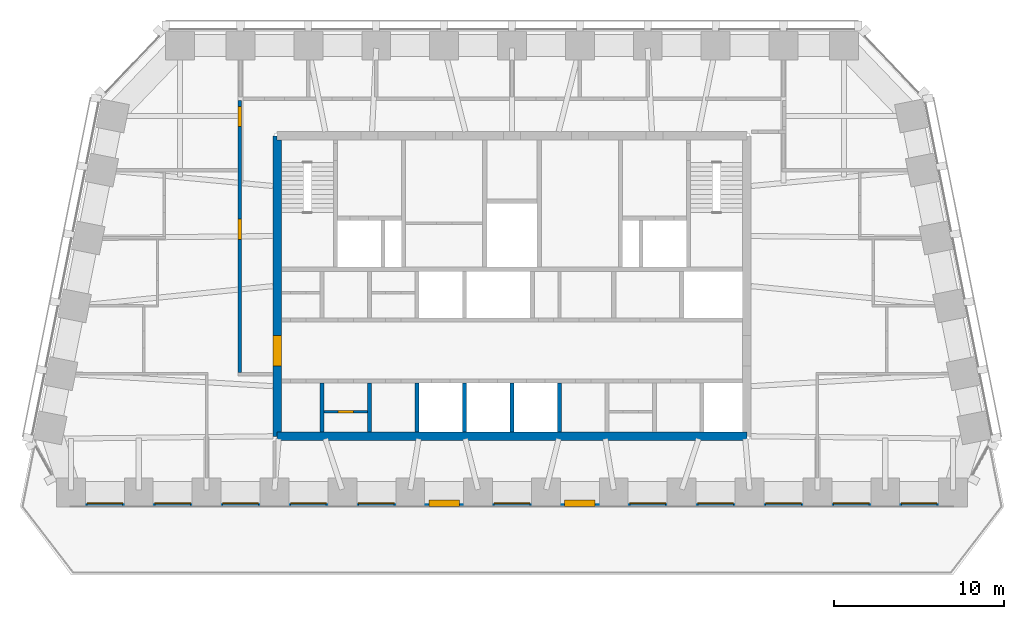
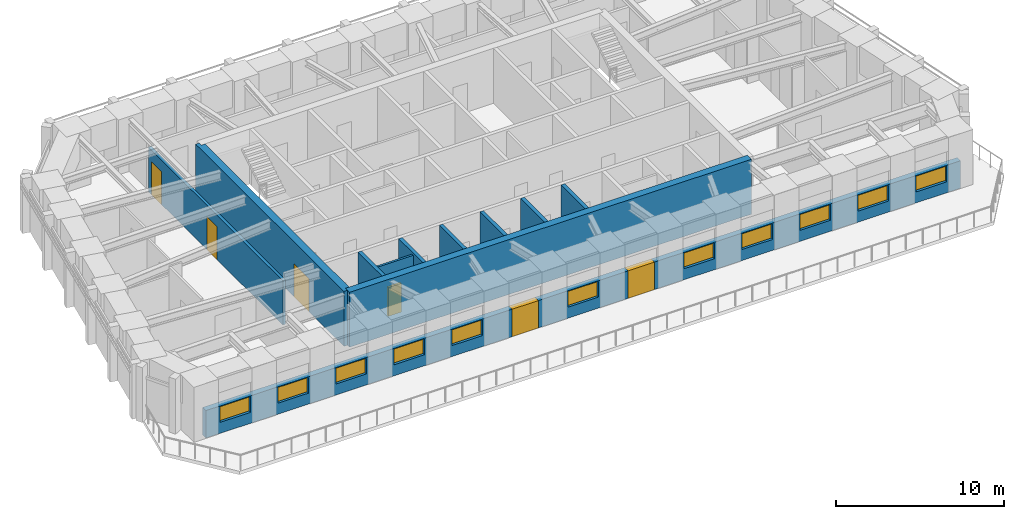
# One storey, part 4 of 9: 11 walls, 11 windows, 6 doors, 17 openings.
"""IFC4 building model written with IfcOpenShell, lengths in metres."""

import ifcopenshell
import ifcopenshell.guid

model = None  # the IFC model being written
_history = None  # IfcOwnerHistory: only IFC2X3 demands one
_inside = {}  # id of a spatial element -> (the spatial element, [elements in it])
_under = {}  # id of a project, library or spatial element -> (it, [spatial elements below it])
_declared = {}  # id of a project -> (the project, [libraries it declares])
_typed = {}  # id of a type object -> (the type object, [elements of that type])
_made_of = {}  # id of a material, layer set ... -> (it, [elements and type objects made of it])


def new_model(schema):
    """Start an empty IFC model of exactly this schema.

    Asked for "IFC4X3", IfcOpenShell would pick the latest addendum, in which some entities
    have other attributes; the version numbers below select the first issue.
    IFC2X3 requires an IfcOwnerHistory on every rooted entity: one is made here for all.
    """
    global model, _history
    if schema == "IFC4X3":
        model = ifcopenshell.file(schema_version=(4, 3, 0, 0))
    else:
        model = ifcopenshell.file(schema=schema)
    _inside.clear()
    _under.clear()
    _declared.clear()
    _typed.clear()
    _made_of.clear()
    _history = None
    if model.schema == "IFC2X3":
        org = make("IfcOrganization", Name="unknown")
        user = make(
            "IfcPersonAndOrganization",
            ThePerson=make("IfcPerson", FamilyName="unknown"),
            TheOrganization=org,
        )
        app = make(
            "IfcApplication",
            ApplicationDeveloper=org,
            Version="unknown",
            ApplicationFullName="unknown",
            ApplicationIdentifier="unknown",
        )
        _history = make(
            "IfcOwnerHistory",
            OwningUser=user,
            OwningApplication=app,
            ChangeAction="ADDED",
            CreationDate=0,
        )
    return model


def make(cls, **values):
    """One entity of the class cls with the attributes given. An attribute that is None is left unset."""
    return model.create_entity(
        cls, **{name: value for name, value in values.items() if value is not None}
    )


def rooted(cls, **values):
    """An entity with a GlobalId (a new one), such as an element, a storey or a relation."""
    return make(cls, GlobalId=ifcopenshell.guid.new(), OwnerHistory=_history, **values)


def si_unit(unit_type, name, prefix=None):
    """IfcSIUnit, for example si_unit("LENGTHUNIT", "METRE", prefix="MILLI")."""
    return make("IfcSIUnit", UnitType=unit_type, Prefix=prefix, Name=name)


def assignment(units):
    """IfcUnitAssignment: the units of a project."""
    return None if units is None else make("IfcUnitAssignment", Units=units)


def point(xyz):
    """IfcCartesianPoint."""
    return None if xyz is None else make("IfcCartesianPoint", Coordinates=xyz)


def direction(xyz):
    """IfcDirection."""
    return None if xyz is None else make("IfcDirection", DirectionRatios=xyz)


def frame(location, z_axis=None, x_axis=None):
    """IfcAxis2Placement3D, a coordinate frame: its origin and axes. An axis left out is left unset."""
    return make(
        "IfcAxis2Placement3D",
        Location=point(location),
        Axis=direction(z_axis),
        RefDirection=direction(x_axis),
    )


def frame_2d(location, x_axis=None):
    """IfcAxis2Placement2D, a coordinate frame in the plane: its origin and x axis."""
    return make(
        "IfcAxis2Placement2D", Location=point(location), RefDirection=direction(x_axis)
    )


def origin():
    """The frame at (0, 0, 0) with its axes left unset."""
    return frame((0.0, 0.0, 0.0))


def place(relative_to, where):
    """IfcLocalPlacement: puts the frame where relative to a parent placement (None: the world)."""
    return make(
        "IfcLocalPlacement", PlacementRelTo=relative_to, RelativePlacement=where
    )


def context(
    kind, dimensions, precision=None, world=None, true_north=None, identifier=None
):
    """IfcGeometricRepresentationContext, for example the 3D "Model" context."""
    return make(
        "IfcGeometricRepresentationContext",
        ContextIdentifier=identifier,
        ContextType=kind,
        CoordinateSpaceDimension=dimensions,
        Precision=precision,
        WorldCoordinateSystem=world,
        TrueNorth=true_north,
    )


def subcontext(parent, identifier, kind, view, scale=None):
    """IfcGeometricRepresentationSubContext, for example "Body" below "Model"."""
    return make(
        "IfcGeometricRepresentationSubContext",
        ContextIdentifier=identifier,
        ContextType=kind,
        ParentContext=parent,
        TargetScale=scale,
        TargetView=view,
    )


def project(units=None, contexts=None):
    """IfcProject with its units and contexts."""
    return rooted(
        "IfcProject",
        Name="project",
        RepresentationContexts=contexts,
        UnitsInContext=assignment(units),
    )


def spatial(cls, under=None, at=None, **own):
    """A site, building, storey or space (cls), placed at a placement, below another one or the project."""
    s = rooted(cls, ObjectPlacement=at, **own)
    if under is not None:
        _under.setdefault(under.id(), (under, []))[1].append(s)
    return s


def polyline(points):
    """IfcPolyline through the points."""
    return make("IfcPolyline", Points=[point(p) for p in points])


def profile(cls, at=None, kind="AREA", **sizes):
    """A parametric profile (cls). Its sizes go by their IFC names, for example OverallWidth=200.0."""
    return make(cls, ProfileType=kind, Position=at, **sizes)


def rectangle(**sizes):
    """IfcRectangleProfileDef."""
    return profile("IfcRectangleProfileDef", **sizes)


def outline(outer, holes=None, kind="AREA"):
    """IfcArbitraryClosedProfileDef: a profile drawn as a closed curve; with holes, ...WithVoids."""
    if holes is None:
        return make("IfcArbitraryClosedProfileDef", ProfileType=kind, OuterCurve=outer)
    return make(
        "IfcArbitraryProfileDefWithVoids",
        ProfileType=kind,
        OuterCurve=outer,
        InnerCurves=holes,
    )


def extrude(swept, where, along, depth):
    """IfcExtrudedAreaSolid: the profile swept, set in the frame where, extruded along a direction by depth."""
    return make(
        "IfcExtrudedAreaSolid",
        SweptArea=swept,
        Position=where,
        ExtrudedDirection=direction(along),
        Depth=depth,
    )


def shape(context_of_items, identifier, shape_type, items):
    """IfcShapeRepresentation: the items that make up one representation, for example the "Body"."""
    return make(
        "IfcShapeRepresentation",
        ContextOfItems=context_of_items,
        RepresentationIdentifier=identifier,
        RepresentationType=shape_type,
        Items=items,
    )


def material(Name=None, Category=None):
    """IfcMaterial."""
    return make("IfcMaterial", Name=Name, Category=Category)


def layer(
    of_material, thickness, ventilated=None, Name=None, Category=None, Priority=None
):
    """IfcMaterialLayer: one layer of a wall or slab, of a material (None: an air gap)."""
    return make(
        "IfcMaterialLayer",
        Material=of_material,
        LayerThickness=thickness,
        IsVentilated=ventilated,
        Name=Name,
        Category=Category,
        Priority=Priority,
    )


def layer_set(layers, Name=None):
    """IfcMaterialLayerSet."""
    return make("IfcMaterialLayerSet", MaterialLayers=layers, LayerSetName=Name)


def made_of(thing, what):
    """Note that an element or type object is made of a material, layer set ...; save() writes the relation."""
    if what is not None:
        _made_of.setdefault(what.id(), (what, []))[1].append(thing)
    return thing


def type_object(cls, material=None, **own):
    """A type object (cls), such as IfcWallType, which elements share."""
    return made_of(rooted(cls, **own), material)


def element(
    cls,
    number,
    at=None,
    inside=None,
    cuts=None,
    type_object=None,
    material=None,
    context=None,
    identifier="Body",
    shape_type=None,
    held_by="IfcProductDefinitionShape",
    body=None,
    shapes=None,
    **own,
):
    """One element of the class cls, such as IfcWall. Its Tag is "e" and its number.

    at: its placement. inside: the storey or other place that contains it. cuts: it is an
    opening in that element (IfcRelVoidsElement). A single representation is given by context,
    identifier, shape_type and body (its items); several are given by shapes. held_by: the class
    of the entity that holds the representations. save() writes the other relations.
    """
    e = rooted(cls, Tag="e%d" % number, ObjectPlacement=at, **own)
    if body is not None:
        shapes = [shape(context, identifier, shape_type, body)]
    if shapes is not None:
        e.Representation = make(held_by, Representations=shapes)
    if inside is not None:
        _inside.setdefault(inside.id(), (inside, []))[1].append(e)
    if cuts is not None:
        rooted(
            "IfcRelVoidsElement", RelatingBuildingElement=cuts, RelatedOpeningElement=e
        )
    if type_object is not None:
        _typed.setdefault(type_object.id(), (type_object, []))[1].append(e)
    return made_of(e, material)


def fill(opening, filler):
    """IfcRelFillsElement: the door or window that sits in an opening."""
    return rooted(
        "IfcRelFillsElement",
        RelatingOpeningElement=opening,
        RelatedBuildingElement=filler,
    )


def aggregate(whole, parts):
    """IfcRelAggregates: a whole, such as a stair, and the parts it consists of."""
    return rooted("IfcRelAggregates", RelatingObject=whole, RelatedObjects=parts)


def save(model, path):
    """Write the relations noted so far, then the file.

    IfcRelAggregates (storeys below a building ...), IfcRelContainedInSpatialStructure (elements
    in a storey), IfcRelDefinesByType, IfcRelAssociatesMaterial and IfcRelDeclares: one each for
    every whole, place, type object, material and project.
    """
    for whole, parts in _under.values():
        aggregate(whole, parts)
    for where, things in _inside.values():
        rooted(
            "IfcRelContainedInSpatialStructure",
            RelatedElements=things,
            RelatingStructure=where,
        )
    for kind, things in _typed.values():
        rooted("IfcRelDefinesByType", RelatedObjects=things, RelatingType=kind)
    for what, things in _made_of.values():
        rooted("IfcRelAssociatesMaterial", RelatedObjects=things, RelatingMaterial=what)
    for by, libraries in _declared.values():
        rooted("IfcRelDeclares", RelatingContext=by, RelatedDefinitions=libraries)
    model.write(path)


model = new_model("IFC4")

# Units and contexts
model_context = context("Model", 3, precision=1e-05, world=origin(), true_north=direction((0.0, 1.0)))
body_context = subcontext(model_context, "Body", "Model", "MODEL_VIEW")
ifc_project = project(units=[si_unit("LENGTHUNIT", "METRE"), si_unit("AREAUNIT", "SQUARE_METRE"), si_unit("VOLUMEUNIT", "CUBIC_METRE"), si_unit("PLANEANGLEUNIT", "RADIAN"), si_unit("MASSUNIT", "GRAM", prefix="KILO")], contexts=[model_context])

# Site, building, storey
site_placement = place(None, origin())
site = spatial("IfcSite", under=ifc_project, at=site_placement, CompositionType="ELEMENT")
building_placement = place(site_placement, origin())
building = spatial("IfcBuilding", under=site, at=building_placement, Name="Isbrekke Arena Tower", CompositionType="ELEMENT")
storey_placement = place(building_placement, frame((0.0, 0.0, 308.0)))
storey = spatial("IfcBuildingStorey", under=building, at=storey_placement, Name="L72", CompositionType="ELEMENT", Elevation=308.0)

# Wall
ifc_material_1 = material(Name="Concrete B55 (C55/67)", Category="concrete")
ifc_layer_1 = layer(ifc_material_1, 0.5)
ifc_layer_set_1 = layer_set([ifc_layer_1], Name="CW5 CORE WALL 500")
wall_type_1 = type_object("IfcWallType", Name="CW5 CORE WALL 500", PredefinedType="SHEAR", material=ifc_layer_set_1)
wall_1_placement = place(storey_placement, frame((-13.85009765625, 6.14990234375, 0.0), z_axis=(0.0, 0.0, 1.0), x_axis=(1.0, 0.0, 0.0)))
element("IfcWall", 1, at=wall_1_placement, inside=storey, type_object=wall_type_1, Name="Core wall S L72", PredefinedType="SHEAR", context=body_context, shape_type="SweptSolid", body=[
    extrude(rectangle(XDim=27.7001953125, YDim=0.5, at=frame_2d((13.85009765625, 0.0))), origin(), (0.0, 0.0, 1.0), 4.0),
])

# Wall, opening, door
wall_2_placement = place(storey_placement, frame((-13.85009765625, 23.85009765625, 0.0), z_axis=(0.0, 0.0, 1.0), x_axis=(0.0, -1.0, 0.0)))
wall_2 = element("IfcWall", 2, at=wall_2_placement, inside=storey, type_object=wall_type_1, Name="Core wall W L72", PredefinedType="SHEAR", context=body_context, shape_type="SweptSolid", body=[
    extrude(outline(polyline([(0.0, -0.25), (17.7001953125, -0.25), (17.7001953125, 0.0), (17.4501953125, 0.0), (17.4501953125, 0.25), (0.25, 0.25), (0.25, 0.0), (0.0, 0.0), (0.0, -0.25)])), origin(), (0.0, 0.0, 1.0), 4.0),
])
opening_1_placement = place(wall_2_placement, frame((11.75, 0.0, 0.0)))
opening_1 = element("IfcOpeningElement", 3, at=opening_1_placement, cuts=wall_2, Name="Opening D1", PredefinedType="OPENING", context=body_context, shape_type="SweptSolid", body=[
    extrude(rectangle(XDim=1.800048828125, YDim=2.39990234375, at=frame_2d((0.89990234375, 1.199951171875))), frame((0.0, 0.264892578125, 0.0), z_axis=(0.0, -1.0, 0.0), x_axis=(1.0, 0.0, 0.0)), (0.0, 0.0, 1.0), 0.52978515625),
])
ifc_material_2 = material(Name="Steel-framed glazed fire door", Category="steel")
door_type_1 = type_object("IfcDoorType", Name="D1 CORE LOBBY DOOR 1800 x 2400", OperationType="DOUBLE_DOOR_SINGLE_SWING", PredefinedType="DOOR", material=ifc_material_2)
door_1_placement = place(opening_1_placement, origin())
door_1 = element("IfcDoor", 4, at=door_1_placement, inside=storey, type_object=door_type_1, Name="D1 lift lobby door west L72", OperationType="DOUBLE_DOOR_SINGLE_SWING", OverallHeight=2.39990234375, OverallWidth=1.800048828125, PredefinedType="DOOR", context=body_context, shape_type="SweptSolid", body=[
    extrude(rectangle(XDim=1.800048828125, YDim=2.39990234375, at=frame_2d((0.89990234375, 1.199951171875))), frame((0.0, 0.249755859375, 0.0), z_axis=(0.0, -1.0, 0.0), x_axis=(1.0, 0.0, 0.0)), (0.0, 0.0, 1.0), 0.49951171875),
])
fill(opening_1, door_1)

# Walls
ifc_material_3 = material(Name="Concrete B45 (C45/55)", Category="concrete")
ifc_layer_2 = layer(ifc_material_3, 0.25)
ifc_layer_set_2 = layer_set([ifc_layer_2], Name="CW6 SHAFT WALL 250")
wall_type_2 = type_object("IfcWallType", Name="CW6 SHAFT WALL 250", PredefinedType="SHEAR", material=ifc_layer_set_2)
for number, where, z_axis, x_axis, name in (
    (5, (-11.199951171875, 6.39990234375, 0.0), (0.0, 0.0, 1.0), (0.0, 1.0, 0.0), "Core wall SS01 L72"),
    (6, (-8.39990234375, 6.39990234375, 0.0), (0.0, 0.0, 1.0), (0.0, 1.0, 0.0), "Core wall SS02 L72"),
    (7, (-5.60009765625, 6.39990234375, 0.0), (0.0, 0.0, 1.0), (0.0, 1.0, 0.0), "Core wall SS03 L72"),
    (8, (-2.800048828125, 6.39990234375, 0.0), (0.0, 0.0, 1.0), (0.0, 1.0, 0.0), "Core wall SS04 L72"),
    (9, (0.0, 6.39990234375, 0.0), (0.0, 0.0, 1.0), (0.0, 1.0, 0.0), "Core wall SS05 L72"),
    (10, (2.800048828125, 6.39990234375, 0.0), (0.0, 0.0, 1.0), (0.0, 1.0, 0.0), "Core wall SS06 L72"),
):
    element("IfcWall", number, at=place(storey_placement, frame(where, z_axis=z_axis, x_axis=x_axis)), inside=storey, type_object=wall_type_2, Name=name, PredefinedType="SHEAR", context=body_context, shape_type="SweptSolid", body=[
        extrude(rectangle(XDim=2.875, YDim=0.25, at=frame_2d((1.4375, 0.0))), origin(), (0.0, 0.0, 1.0), 4.0),
    ])

# Wall, openings, doors, windows
ifc_material_4 = material(Name="Copper cladding on insulated framing", Category="metal")
ifc_layer_3 = layer(ifc_material_4, 0.39990234375)
ifc_layer_set_3 = layer_set([ifc_layer_3], Name="EW2 COPPER-CLAD WALL 400")
wall_type_3 = type_object("IfcWallType", Name="EW2 COPPER-CLAD WALL 400", PredefinedType="SOLIDWALL", material=ifc_layer_set_3)
wall_3_placement = place(storey_placement, frame((-26.0, 2.199951171875, 0.0), z_axis=(0.0, 0.0, 1.0), x_axis=(1.0, 0.0, 0.0)))
wall_3 = element("IfcWall", 11, at=wall_3_placement, inside=storey, type_object=wall_type_3, Name="EW2 terrace wall L72", PredefinedType="SOLIDWALL", context=body_context, shape_type="SweptSolid", body=[
    extrude(rectangle(XDim=52.0, YDim=0.39990234375, at=frame_2d((26.0, 0.0))), origin(), (0.0, 0.0, 1.0), 2.0),
])
opening_2_placement = place(wall_3_placement, frame((0.949951171875, 0.0, 0.800048828125)))
opening_2 = element("IfcOpeningElement", 12, at=opening_2_placement, cuts=wall_3, Name="Opening WN1", PredefinedType="OPENING", context=body_context, shape_type="SweptSolid", body=[
    extrude(rectangle(XDim=2.10009765625, YDim=1.14990234375, at=frame_2d((1.050048828125, 0.574951171875))), frame((0.0, 0.21484375, 0.0), z_axis=(0.0, -1.0, 0.0), x_axis=(1.0, 0.0, 0.0)), (0.0, 0.0, 1.0), 0.4296875),
])
opening_3_placement = place(wall_3_placement, frame((4.949951171875, 0.0, 0.800048828125)))
opening_3 = element("IfcOpeningElement", 13, at=opening_3_placement, cuts=wall_3, Name="Opening WN1", PredefinedType="OPENING", context=body_context, shape_type="SweptSolid", body=[
    extrude(rectangle(XDim=2.10009765625, YDim=1.14990234375, at=frame_2d((1.050048828125, 0.574951171875))), frame((0.0, 0.21484375, 0.0), z_axis=(0.0, -1.0, 0.0), x_axis=(1.0, 0.0, 0.0)), (0.0, 0.0, 1.0), 0.4296875),
])
opening_4_placement = place(wall_3_placement, frame((8.949951171875, 0.0, 0.800048828125)))
opening_4 = element("IfcOpeningElement", 14, at=opening_4_placement, cuts=wall_3, Name="Opening WN1", PredefinedType="OPENING", context=body_context, shape_type="SweptSolid", body=[
    extrude(rectangle(XDim=2.10009765625, YDim=1.14990234375, at=frame_2d((1.050048828125, 0.574951171875))), frame((0.0, 0.21484375, 0.0), z_axis=(0.0, -1.0, 0.0), x_axis=(1.0, 0.0, 0.0)), (0.0, 0.0, 1.0), 0.4296875),
])
opening_5_placement = place(wall_3_placement, frame((12.949951171875, 0.0, 0.800048828125)))
opening_5 = element("IfcOpeningElement", 15, at=opening_5_placement, cuts=wall_3, Name="Opening WN1", PredefinedType="OPENING", context=body_context, shape_type="SweptSolid", body=[
    extrude(rectangle(XDim=2.10009765625, YDim=1.14990234375, at=frame_2d((1.050048828125, 0.574951171875))), frame((0.0, 0.21484375, 0.0), z_axis=(0.0, -1.0, 0.0), x_axis=(1.0, 0.0, 0.0)), (0.0, 0.0, 1.0), 0.4296875),
])
opening_6_placement = place(wall_3_placement, frame((16.949951171875, 0.0, 0.800048828125)))
opening_6 = element("IfcOpeningElement", 16, at=opening_6_placement, cuts=wall_3, Name="Opening WN1", PredefinedType="OPENING", context=body_context, shape_type="SweptSolid", body=[
    extrude(rectangle(XDim=2.10009765625, YDim=1.14990234375, at=frame_2d((1.050048828125, 0.574951171875))), frame((0.0, 0.21484375, 0.0), z_axis=(0.0, -1.0, 0.0), x_axis=(1.0, 0.0, 0.0)), (0.0, 0.0, 1.0), 0.4296875),
])
opening_7_placement = place(wall_3_placement, frame((21.10009765625, 0.0, 0.0)))
opening_7 = element("IfcOpeningElement", 17, at=opening_7_placement, cuts=wall_3, Name="Opening DT1", PredefinedType="OPENING", context=body_context, shape_type="SweptSolid", body=[
    extrude(rectangle(XDim=1.800048828125, YDim=2.0, at=frame_2d((0.89990234375, 1.0))), frame((0.0, 0.21484375, 0.0), z_axis=(0.0, -1.0, 0.0), x_axis=(1.0, 0.0, 0.0)), (0.0, 0.0, 1.0), 0.4296875),
])
opening_8_placement = place(wall_3_placement, frame((24.949951171875, 0.0, 0.800048828125)))
opening_8 = element("IfcOpeningElement", 18, at=opening_8_placement, cuts=wall_3, Name="Opening WN1", PredefinedType="OPENING", context=body_context, shape_type="SweptSolid", body=[
    extrude(rectangle(XDim=2.10009765625, YDim=1.14990234375, at=frame_2d((1.050048828125, 0.574951171875))), frame((0.0, 0.21484375, 0.0), z_axis=(0.0, -1.0, 0.0), x_axis=(1.0, 0.0, 0.0)), (0.0, 0.0, 1.0), 0.4296875),
])
opening_9_placement = place(wall_3_placement, frame((29.10009765625, 0.0, 0.0)))
opening_9 = element("IfcOpeningElement", 19, at=opening_9_placement, cuts=wall_3, Name="Opening DT1", PredefinedType="OPENING", context=body_context, shape_type="SweptSolid", body=[
    extrude(rectangle(XDim=1.800048828125, YDim=2.0, at=frame_2d((0.89990234375, 1.0))), frame((0.0, 0.21484375, 0.0), z_axis=(0.0, -1.0, 0.0), x_axis=(1.0, 0.0, 0.0)), (0.0, 0.0, 1.0), 0.4296875),
])
opening_10_placement = place(wall_3_placement, frame((32.949951171875, 0.0, 0.800048828125)))
opening_10 = element("IfcOpeningElement", 20, at=opening_10_placement, cuts=wall_3, Name="Opening WN1", PredefinedType="OPENING", context=body_context, shape_type="SweptSolid", body=[
    extrude(rectangle(XDim=2.10009765625, YDim=1.14990234375, at=frame_2d((1.050048828125, 0.574951171875))), frame((0.0, 0.21484375, 0.0), z_axis=(0.0, -1.0, 0.0), x_axis=(1.0, 0.0, 0.0)), (0.0, 0.0, 1.0), 0.4296875),
])
opening_11_placement = place(wall_3_placement, frame((36.949951171875, 0.0, 0.800048828125)))
opening_11 = element("IfcOpeningElement", 21, at=opening_11_placement, cuts=wall_3, Name="Opening WN1", PredefinedType="OPENING", context=body_context, shape_type="SweptSolid", body=[
    extrude(rectangle(XDim=2.10009765625, YDim=1.14990234375, at=frame_2d((1.050048828125, 0.574951171875))), frame((0.0, 0.21484375, 0.0), z_axis=(0.0, -1.0, 0.0), x_axis=(1.0, 0.0, 0.0)), (0.0, 0.0, 1.0), 0.4296875),
])
opening_12_placement = place(wall_3_placement, frame((40.949951171875, 0.0, 0.800048828125)))
opening_12 = element("IfcOpeningElement", 22, at=opening_12_placement, cuts=wall_3, Name="Opening WN1", PredefinedType="OPENING", context=body_context, shape_type="SweptSolid", body=[
    extrude(rectangle(XDim=2.10009765625, YDim=1.14990234375, at=frame_2d((1.050048828125, 0.574951171875))), frame((0.0, 0.21484375, 0.0), z_axis=(0.0, -1.0, 0.0), x_axis=(1.0, 0.0, 0.0)), (0.0, 0.0, 1.0), 0.4296875),
])
opening_13_placement = place(wall_3_placement, frame((44.949951171875, 0.0, 0.800048828125)))
opening_13 = element("IfcOpeningElement", 23, at=opening_13_placement, cuts=wall_3, Name="Opening WN1", PredefinedType="OPENING", context=body_context, shape_type="SweptSolid", body=[
    extrude(rectangle(XDim=2.10009765625, YDim=1.14990234375, at=frame_2d((1.050048828125, 0.574951171875))), frame((0.0, 0.21484375, 0.0), z_axis=(0.0, -1.0, 0.0), x_axis=(1.0, 0.0, 0.0)), (0.0, 0.0, 1.0), 0.4296875),
])
opening_14_placement = place(wall_3_placement, frame((48.949951171875, 0.0, 0.800048828125)))
opening_14 = element("IfcOpeningElement", 24, at=opening_14_placement, cuts=wall_3, Name="Opening WN1", PredefinedType="OPENING", context=body_context, shape_type="SweptSolid", body=[
    extrude(rectangle(XDim=2.10009765625, YDim=1.14990234375, at=frame_2d((1.050048828125, 0.574951171875))), frame((0.0, 0.21484375, 0.0), z_axis=(0.0, -1.0, 0.0), x_axis=(1.0, 0.0, 0.0)), (0.0, 0.0, 1.0), 0.4296875),
])
ifc_material_5 = material(Name="Timber-aluminium glazed door", Category="wood")
door_type_2 = type_object("IfcDoorType", Name="DT1 TERRACE DOOR 1800 x 2000", OperationType="DOUBLE_DOOR_SINGLE_SWING", PredefinedType="DOOR", material=ifc_material_5)
door_2_placement = place(opening_7_placement, origin())
door_2 = element("IfcDoor", 25, at=door_2_placement, inside=storey, type_object=door_type_2, Name="DT1 terrace door L72-6", OperationType="DOUBLE_DOOR_SINGLE_SWING", OverallHeight=2.0, OverallWidth=1.800048828125, PredefinedType="DOOR", context=body_context, shape_type="SweptSolid", body=[
    extrude(rectangle(XDim=1.800048828125, YDim=2.0, at=frame_2d((0.89990234375, 1.0))), frame((0.0, 0.19970703125, 0.0), z_axis=(0.0, -1.0, 0.0), x_axis=(1.0, 0.0, 0.0)), (0.0, 0.0, 1.0), 0.3994140625),
])
fill(opening_7, door_2)
door_3_placement = place(opening_9_placement, origin())
door_3 = element("IfcDoor", 26, at=door_3_placement, inside=storey, type_object=door_type_2, Name="DT1 terrace door L72-8", OperationType="DOUBLE_DOOR_SINGLE_SWING", OverallHeight=2.0, OverallWidth=1.800048828125, PredefinedType="DOOR", context=body_context, shape_type="SweptSolid", body=[
    extrude(rectangle(XDim=1.800048828125, YDim=2.0, at=frame_2d((0.89990234375, 1.0))), frame((0.0, 0.19970703125, 0.0), z_axis=(0.0, -1.0, 0.0), x_axis=(1.0, 0.0, 0.0)), (0.0, 0.0, 1.0), 0.3994140625),
])
fill(opening_9, door_3)
ifc_material_6 = material(Name="Timber-aluminium window, triple glazed", Category="wood")
window_type = type_object("IfcWindowType", Name="WN1 TERRACE WINDOW 2100 x 1150", PartitioningType="SINGLE_PANEL", PredefinedType="WINDOW", material=ifc_material_6)
window_1_placement = place(opening_2_placement, origin())
window_1 = element("IfcWindow", 27, at=window_1_placement, inside=storey, type_object=window_type, Name="WN1 terrace window L72-1", OverallHeight=1.14990234375, OverallWidth=2.10009765625, PartitioningType="SINGLE_PANEL", PredefinedType="WINDOW", context=body_context, shape_type="SweptSolid", body=[
    extrude(rectangle(XDim=2.10009765625, YDim=1.14990234375, at=frame_2d((1.050048828125, 0.574951171875))), frame((0.0, 0.030029296875, 0.0), z_axis=(0.0, -1.0, 0.0), x_axis=(1.0, 0.0, 0.0)), (0.0, 0.0, 1.0), 0.06005859375),
])
fill(opening_2, window_1)
window_2_placement = place(opening_3_placement, origin())
window_2 = element("IfcWindow", 28, at=window_2_placement, inside=storey, type_object=window_type, Name="WN1 terrace window L72-2", OverallHeight=1.14990234375, OverallWidth=2.10009765625, PartitioningType="SINGLE_PANEL", PredefinedType="WINDOW", context=body_context, shape_type="SweptSolid", body=[
    extrude(rectangle(XDim=2.10009765625, YDim=1.14990234375, at=frame_2d((1.050048828125, 0.574951171875))), frame((0.0, 0.030029296875, 0.0), z_axis=(0.0, -1.0, 0.0), x_axis=(1.0, 0.0, 0.0)), (0.0, 0.0, 1.0), 0.06005859375),
])
fill(opening_3, window_2)
window_3_placement = place(opening_4_placement, origin())
window_3 = element("IfcWindow", 29, at=window_3_placement, inside=storey, type_object=window_type, Name="WN1 terrace window L72-3", OverallHeight=1.14990234375, OverallWidth=2.10009765625, PartitioningType="SINGLE_PANEL", PredefinedType="WINDOW", context=body_context, shape_type="SweptSolid", body=[
    extrude(rectangle(XDim=2.10009765625, YDim=1.14990234375, at=frame_2d((1.050048828125, 0.574951171875))), frame((0.0, 0.030029296875, 0.0), z_axis=(0.0, -1.0, 0.0), x_axis=(1.0, 0.0, 0.0)), (0.0, 0.0, 1.0), 0.06005859375),
])
fill(opening_4, window_3)
window_4_placement = place(opening_5_placement, origin())
window_4 = element("IfcWindow", 30, at=window_4_placement, inside=storey, type_object=window_type, Name="WN1 terrace window L72-4", OverallHeight=1.14990234375, OverallWidth=2.10009765625, PartitioningType="SINGLE_PANEL", PredefinedType="WINDOW", context=body_context, shape_type="SweptSolid", body=[
    extrude(rectangle(XDim=2.10009765625, YDim=1.14990234375, at=frame_2d((1.050048828125, 0.574951171875))), frame((0.0, 0.030029296875, 0.0), z_axis=(0.0, -1.0, 0.0), x_axis=(1.0, 0.0, 0.0)), (0.0, 0.0, 1.0), 0.06005859375),
])
fill(opening_5, window_4)
window_5_placement = place(opening_6_placement, origin())
window_5 = element("IfcWindow", 31, at=window_5_placement, inside=storey, type_object=window_type, Name="WN1 terrace window L72-5", OverallHeight=1.14990234375, OverallWidth=2.10009765625, PartitioningType="SINGLE_PANEL", PredefinedType="WINDOW", context=body_context, shape_type="SweptSolid", body=[
    extrude(rectangle(XDim=2.10009765625, YDim=1.14990234375, at=frame_2d((1.050048828125, 0.574951171875))), frame((0.0, 0.030029296875, 0.0), z_axis=(0.0, -1.0, 0.0), x_axis=(1.0, 0.0, 0.0)), (0.0, 0.0, 1.0), 0.06005859375),
])
fill(opening_6, window_5)
window_6_placement = place(opening_8_placement, origin())
window_6 = element("IfcWindow", 32, at=window_6_placement, inside=storey, type_object=window_type, Name="WN1 terrace window L72-7", OverallHeight=1.14990234375, OverallWidth=2.10009765625, PartitioningType="SINGLE_PANEL", PredefinedType="WINDOW", context=body_context, shape_type="SweptSolid", body=[
    extrude(rectangle(XDim=2.10009765625, YDim=1.14990234375, at=frame_2d((1.050048828125, 0.574951171875))), frame((0.0, 0.030029296875, 0.0), z_axis=(0.0, -1.0, 0.0), x_axis=(1.0, 0.0, 0.0)), (0.0, 0.0, 1.0), 0.06005859375),
])
fill(opening_8, window_6)
window_7_placement = place(opening_10_placement, origin())
window_7 = element("IfcWindow", 33, at=window_7_placement, inside=storey, type_object=window_type, Name="WN1 terrace window L72-9", OverallHeight=1.14990234375, OverallWidth=2.10009765625, PartitioningType="SINGLE_PANEL", PredefinedType="WINDOW", context=body_context, shape_type="SweptSolid", body=[
    extrude(rectangle(XDim=2.10009765625, YDim=1.14990234375, at=frame_2d((1.050048828125, 0.574951171875))), frame((0.0, 0.030029296875, 0.0), z_axis=(0.0, -1.0, 0.0), x_axis=(1.0, 0.0, 0.0)), (0.0, 0.0, 1.0), 0.06005859375),
])
fill(opening_10, window_7)
window_8_placement = place(opening_11_placement, origin())
window_8 = element("IfcWindow", 34, at=window_8_placement, inside=storey, type_object=window_type, Name="WN1 terrace window L72-10", OverallHeight=1.14990234375, OverallWidth=2.10009765625, PartitioningType="SINGLE_PANEL", PredefinedType="WINDOW", context=body_context, shape_type="SweptSolid", body=[
    extrude(rectangle(XDim=2.10009765625, YDim=1.14990234375, at=frame_2d((1.050048828125, 0.574951171875))), frame((0.0, 0.030029296875, 0.0), z_axis=(0.0, -1.0, 0.0), x_axis=(1.0, 0.0, 0.0)), (0.0, 0.0, 1.0), 0.06005859375),
])
fill(opening_11, window_8)
window_9_placement = place(opening_12_placement, origin())
window_9 = element("IfcWindow", 35, at=window_9_placement, inside=storey, type_object=window_type, Name="WN1 terrace window L72-11", OverallHeight=1.14990234375, OverallWidth=2.10009765625, PartitioningType="SINGLE_PANEL", PredefinedType="WINDOW", context=body_context, shape_type="SweptSolid", body=[
    extrude(rectangle(XDim=2.10009765625, YDim=1.14990234375, at=frame_2d((1.050048828125, 0.574951171875))), frame((0.0, 0.030029296875, 0.0), z_axis=(0.0, -1.0, 0.0), x_axis=(1.0, 0.0, 0.0)), (0.0, 0.0, 1.0), 0.06005859375),
])
fill(opening_12, window_9)
window_10_placement = place(opening_13_placement, origin())
window_10 = element("IfcWindow", 36, at=window_10_placement, inside=storey, type_object=window_type, Name="WN1 terrace window L72-12", OverallHeight=1.14990234375, OverallWidth=2.10009765625, PartitioningType="SINGLE_PANEL", PredefinedType="WINDOW", context=body_context, shape_type="SweptSolid", body=[
    extrude(rectangle(XDim=2.10009765625, YDim=1.14990234375, at=frame_2d((1.050048828125, 0.574951171875))), frame((0.0, 0.030029296875, 0.0), z_axis=(0.0, -1.0, 0.0), x_axis=(1.0, 0.0, 0.0)), (0.0, 0.0, 1.0), 0.06005859375),
])
fill(opening_13, window_10)
window_11_placement = place(opening_14_placement, origin())
window_11 = element("IfcWindow", 37, at=window_11_placement, inside=storey, type_object=window_type, Name="WN1 terrace window L72-13", OverallHeight=1.14990234375, OverallWidth=2.10009765625, PartitioningType="SINGLE_PANEL", PredefinedType="WINDOW", context=body_context, shape_type="SweptSolid", body=[
    extrude(rectangle(XDim=2.10009765625, YDim=1.14990234375, at=frame_2d((1.050048828125, 0.574951171875))), frame((0.0, 0.030029296875, 0.0), z_axis=(0.0, -1.0, 0.0), x_axis=(1.0, 0.0, 0.0)), (0.0, 0.0, 1.0), 0.06005859375),
])
fill(opening_14, window_11)

# Wall, openings, doors
ifc_material_7 = material(Name="Gypsum board fire-cell wall on steel studs, two layers each side", Category="steel")
ifc_layer_4 = layer(ifc_material_7, 0.199951171875)
ifc_layer_set_4 = layer_set([ifc_layer_4], Name="IW3 FIRE-CELL WALL 200")
wall_type_4 = type_object("IfcWallType", Name="IW3 FIRE-CELL WALL 200", PredefinedType="PARTITIONING", material=ifc_layer_set_4)
wall_4_placement = place(storey_placement, frame((-16.050048828125, 9.89990234375, 0.0), z_axis=(0.0, 0.0, 1.0), x_axis=(0.0, 1.0, 0.0)))
wall_4 = element("IfcWall", 38, at=wall_4_placement, inside=storey, type_object=wall_type_4, Name="IW3 fire-cell wall 200 L72", PredefinedType="PARTITIONING", context=body_context, shape_type="SweptSolid", body=[
    extrude(rectangle(XDim=16.050048828125, YDim=0.199951171875, at=frame_2d((8.02490234375, 0.0))), origin(), (0.0, 0.0, 1.0), 3.22998046875),
])
opening_15_placement = place(wall_4_placement, frame((14.5, 0.0, 0.0)))
opening_15 = element("IfcOpeningElement", 39, at=opening_15_placement, cuts=wall_4, Name="Opening D12", PredefinedType="OPENING", context=body_context, shape_type="SweptSolid", body=[
    extrude(rectangle(XDim=1.199951171875, YDim=2.39990234375, at=frame_2d((0.60009765625, 1.199951171875))), frame((0.0, 0.11474609375, 0.0), z_axis=(0.0, -1.0, 0.0), x_axis=(1.0, 0.0, 0.0)), (0.0, 0.0, 1.0), 0.229736328125),
])
opening_16_placement = place(wall_4_placement, frame((7.85009765625, 0.0, 0.0)))
opening_16 = element("IfcOpeningElement", 40, at=opening_16_placement, cuts=wall_4, Name="Opening D12", PredefinedType="OPENING", context=body_context, shape_type="SweptSolid", body=[
    extrude(rectangle(XDim=1.199951171875, YDim=2.39990234375, at=frame_2d((0.60009765625, 1.199951171875))), frame((0.0, 0.11474609375, 0.0), z_axis=(0.0, -1.0, 0.0), x_axis=(1.0, 0.0, 0.0)), (0.0, 0.0, 1.0), 0.229736328125),
])
ifc_material_8 = material(Name="Timber fire door with vision panel", Category="wood")
door_type_3 = type_object("IfcDoorType", Name="D12 SUITE ENTRANCE DOOR 1200 x 2400", OperationType="SINGLE_SWING_LEFT", PredefinedType="DOOR", material=ifc_material_8)
door_4_placement = place(opening_15_placement, origin())
door_4 = element("IfcDoor", 41, at=door_4_placement, inside=storey, type_object=door_type_3, Name="D12 suite entrance NCW door L72", OperationType="SINGLE_SWING_LEFT", OverallHeight=2.39990234375, OverallWidth=1.199951171875, PredefinedType="DOOR", context=body_context, shape_type="SweptSolid", body=[
    extrude(rectangle(XDim=1.199951171875, YDim=2.39990234375, at=frame_2d((0.60009765625, 1.199951171875))), frame((0.0, 0.099609375, 0.0), z_axis=(0.0, -1.0, 0.0), x_axis=(1.0, 0.0, 0.0)), (0.0, 0.0, 1.0), 0.199462890625),
])
fill(opening_15, door_4)
door_5_placement = place(opening_16_placement, origin())
door_5 = element("IfcDoor", 42, at=door_5_placement, inside=storey, type_object=door_type_3, Name="D12 suite entrance W door L72", OperationType="SINGLE_SWING_LEFT", OverallHeight=2.39990234375, OverallWidth=1.199951171875, PredefinedType="DOOR", context=body_context, shape_type="SweptSolid", body=[
    extrude(rectangle(XDim=1.199951171875, YDim=2.39990234375, at=frame_2d((0.60009765625, 1.199951171875))), frame((0.0, 0.099609375, 0.0), z_axis=(0.0, -1.0, 0.0), x_axis=(1.0, 0.0, 0.0)), (0.0, 0.0, 1.0), 0.199462890625),
])
fill(opening_16, door_5)

# Wall, opening, door
ifc_material_9 = material(Name="Gypsum board fire-rated partition on steel studs, two layers each side", Category="steel")
ifc_layer_5 = layer(ifc_material_9, 0.14990234375)
ifc_layer_set_5 = layer_set([ifc_layer_5], Name="IW5 FIRE-RATED PARTITION 150")
wall_type_5 = type_object("IfcWallType", Name="IW5 FIRE-RATED PARTITION 150", PredefinedType="PARTITIONING", material=ifc_layer_set_5)
wall_5_placement = place(storey_placement, frame((-11.074951171875, 7.60009765625, 0.0), z_axis=(0.0, 0.0, 1.0), x_axis=(1.0, 0.0, 0.0)))
wall_5 = element("IfcWall", 43, at=wall_5_placement, inside=storey, type_object=wall_type_5, Name="IW5 fire-rated partition L72 core service rooms 4", PredefinedType="PARTITIONING", context=body_context, shape_type="SweptSolid", body=[
    extrude(rectangle(XDim=2.550048828125, YDim=0.14990234375, at=frame_2d((1.27490234375, 0.0))), origin(), (0.0, 0.0, 1.0), 3.85009765625),
])
opening_17_placement = place(wall_5_placement, frame((0.824951171875, 0.0, 0.0)))
opening_17 = element("IfcOpeningElement", 44, at=opening_17_placement, cuts=wall_5, Name="Opening D5", PredefinedType="OPENING", context=body_context, shape_type="SweptSolid", body=[
    extrude(rectangle(XDim=0.89990234375, YDim=2.10009765625, at=frame_2d((0.449951171875, 1.050048828125))), frame((0.0, 0.08984375, 0.0), z_axis=(0.0, -1.0, 0.0), x_axis=(1.0, 0.0, 0.0)), (0.0, 0.0, 1.0), 0.1796875),
])
ifc_material_10 = material(Name="Steel fire door", Category="steel")
door_type_4 = type_object("IfcDoorType", Name="D5 SERVICE DOOR 900 x 2100", OperationType="SINGLE_SWING_LEFT", PredefinedType="DOOR", material=ifc_material_10)
door_6_placement = place(opening_17_placement, origin())
door_6 = element("IfcDoor", 45, at=door_6_placement, inside=storey, type_object=door_type_4, Name="D5 store door L72", OperationType="SINGLE_SWING_LEFT", OverallHeight=2.10009765625, OverallWidth=0.89990234375, PredefinedType="DOOR", context=body_context, shape_type="SweptSolid", body=[
    extrude(rectangle(XDim=0.89990234375, YDim=2.10009765625, at=frame_2d((0.449951171875, 1.050048828125))), frame((0.0, 0.07470703125, 0.0), z_axis=(0.0, -1.0, 0.0), x_axis=(1.0, 0.0, 0.0)), (0.0, 0.0, 1.0), 0.1494140625),
])
fill(opening_17, door_6)

save(model, "model.ifc")
